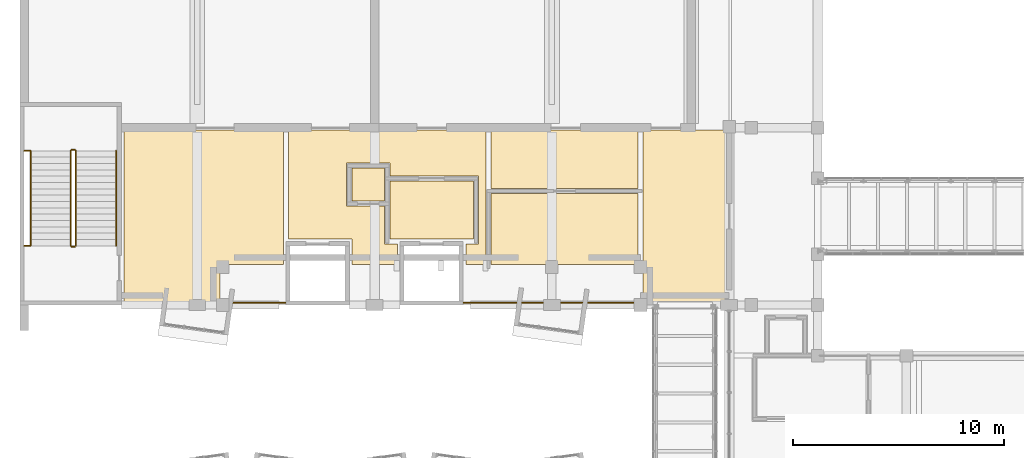
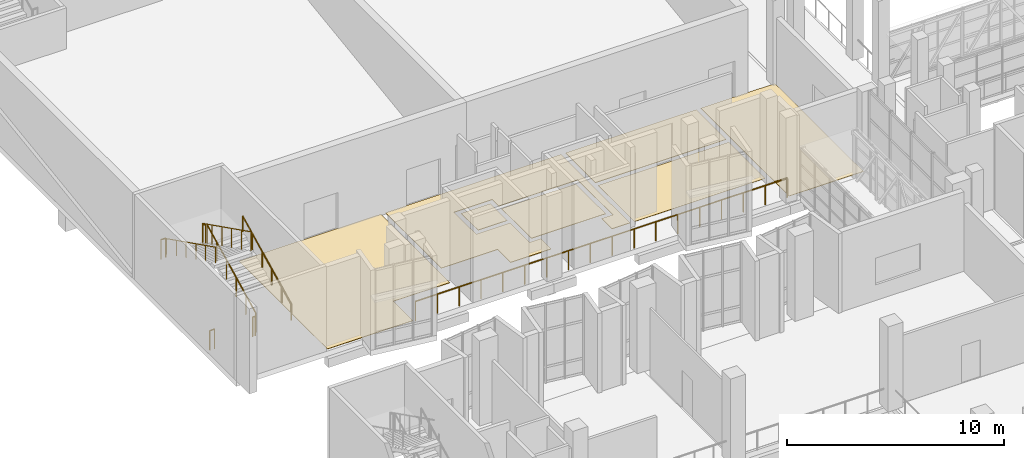
# One storey, part 72 of 86: 9 railings, 7 coverings.
"""IFC4 building model written with IfcOpenShell, lengths in metres."""

from ifc_helpers import new_model, si_unit, direction, frame, origin, origin_2d, place, context, subcontext, project, spatial, polyline, circle, outline, extrude, material, layer, layer_set, type_object, element, save


model = new_model("IFC4")

# Units and contexts
model_context = context("Model", 3, precision=1e-05, world=origin(), true_north=direction((0.0, 1.0)))
body_context = subcontext(model_context, "Body", "Model", "MODEL_VIEW")
ifc_project = project(units=[si_unit("LENGTHUNIT", "METRE"), si_unit("AREAUNIT", "SQUARE_METRE"), si_unit("VOLUMEUNIT", "CUBIC_METRE"), si_unit("PLANEANGLEUNIT", "RADIAN"), si_unit("MASSUNIT", "GRAM", prefix="KILO")], contexts=[model_context])

# Site, building, storey
site_placement = place(None, origin())
site = spatial("IfcSite", under=ifc_project, at=site_placement, CompositionType="ELEMENT")
building_placement = place(site_placement, origin())
building = spatial("IfcBuilding", under=site, at=building_placement, Name="Kiln Court Media Centre", CompositionType="ELEMENT")
storey_placement = place(building_placement, frame((0.0, 0.0, 10.199951171875)))
storey = spatial("IfcBuildingStorey", under=building, at=storey_placement, Name="L02", CompositionType="ELEMENT", Elevation=10.199951171875)

# Coverings
ifc_material_1 = material(Name="Ceramic tile")
ifc_layer_1 = layer(ifc_material_1, 0.011962890625)
ifc_layer_set_1 = layer_set([ifc_layer_1], Name="Ceramic tile floor finish 12")
covering_type_1 = type_object("IfcCoveringType", Name="Ceramic tile floor finish 12", PredefinedType="FLOORING", material=ifc_layer_set_1)
covering_1_placement = place(storey_placement, origin())
element("IfcCovering", 1, at=covering_1_placement, inside=storey, type_object=covering_type_1, Name="Toilets floor finish", PredefinedType="FLOORING", context=body_context, shape_type="SweptSolid", body=[
    extrude(outline(polyline([(29.280029296875, 38.8798828125), (22.320068359375, 38.8798828125), (22.320068359375, 35.52001953125), (29.280029296875, 35.52001953125), (29.280029296875, 38.8798828125)])), origin(), (0.0, 0.0, 1.0), 0.011962890625),
])
ifc_material_2 = material(Name="Terrazzo")
ifc_layer_2 = layer(ifc_material_2, 0.02490234375)
ifc_layer_set_2 = layer_set([ifc_layer_2], Name="Polished terrazzo floor finish 25")
covering_type_2 = type_object("IfcCoveringType", Name="Polished terrazzo floor finish 25", PredefinedType="FLOORING", material=ifc_layer_set_2)
covering_2_placement = place(storey_placement, origin())
element("IfcCovering", 2, at=covering_2_placement, inside=storey, type_object=covering_type_2, Name="Screening Foyer floor finish", PredefinedType="FLOORING", context=body_context, shape_type="SweptSolid", body=[
    extrude(outline(polyline([(12.47998046875, 41.8798828125), (4.919921875, 41.8798828125), (4.919921875, 33.719970703125), (9.47998046875, 33.719970703125), (9.47998046875, 35.52001953125), (12.47998046875, 35.52001953125), (12.47998046875, 41.8798828125)])), origin(), (0.0, 0.0, 1.0), 0.025146484375),
])
covering_3_placement = place(storey_placement, origin())
element("IfcCovering", 3, at=covering_3_placement, inside=storey, type_object=covering_type_2, Name="Foyer Link floor finish", PredefinedType="FLOORING", context=body_context, shape_type="SweptSolid", body=[
    extrude(outline(polyline([(29.52001953125, 33.719970703125), (33.47998046875, 33.719970703125), (33.47998046875, 41.8798828125), (29.52001953125, 41.8798828125), (29.52001953125, 33.719970703125)])), origin(), (0.0, 0.0, 1.0), 0.025146484375),
])
covering_4_placement = place(storey_placement, origin())
element("IfcCovering", 4, at=covering_4_placement, inside=storey, type_object=covering_type_2, Name="Cinema Lobby floor finish", PredefinedType="FLOORING", context=body_context, shape_type="SweptSolid", body=[
    extrude(outline(polyline([(17.280029296875, 36.47998046875), (17.280029296875, 38.280029296875), (15.47998046875, 38.280029296875), (15.47998046875, 40.320068359375), (17.52001953125, 40.320068359375), (17.52001953125, 39.719970703125), (21.719970703125, 39.719970703125), (21.719970703125, 36.47998046875), (21.1201171875, 36.47998046875), (21.1201171875, 35.52001953125), (22.080078125, 35.52001953125), (22.080078125, 41.8798828125), (12.719970703125, 41.8798828125), (12.719970703125, 36.719970703125), (15.719970703125, 36.719970703125), (15.719970703125, 35.52001953125), (17.8798828125, 35.52001953125), (17.8798828125, 36.47998046875), (17.280029296875, 36.47998046875)])), origin(), (0.0, 0.0, 1.0), 0.025146484375),
])
covering_5_placement = place(storey_placement, origin())
element("IfcCovering", 5, at=covering_5_placement, inside=storey, type_object=covering_type_2, Name="Fire-fighting Lift Lobby floor finish", PredefinedType="FLOORING", context=body_context, shape_type="SweptSolid", body=[
    extrude(outline(polyline([(17.52001953125, 36.719970703125), (21.47998046875, 36.719970703125), (21.47998046875, 39.47998046875), (17.52001953125, 39.47998046875), (17.52001953125, 36.719970703125)])), origin(), (0.0, 0.0, 1.0), 0.025146484375),
])
covering_6_placement = place(storey_placement, origin())
element("IfcCovering", 6, at=covering_6_placement, inside=storey, type_object=covering_type_2, Name="Wheelchair Refuge floor finish", PredefinedType="FLOORING", context=body_context, shape_type="SweptSolid", body=[
    extrude(outline(polyline([(15.719970703125, 38.52001953125), (17.280029296875, 38.52001953125), (17.280029296875, 40.080078125), (15.719970703125, 40.080078125), (15.719970703125, 38.52001953125)])), origin(), (0.0, 0.0, 1.0), 0.025146484375),
])
covering_7_placement = place(storey_placement, origin())
element("IfcCovering", 7, at=covering_7_placement, inside=storey, type_object=covering_type_2, Name="Cinema Lobby floor finish", PredefinedType="FLOORING", context=body_context, shape_type="SweptSolid", body=[
    extrude(outline(polyline([(22.320068359375, 39.1201171875), (29.280029296875, 39.1201171875), (29.280029296875, 41.8798828125), (22.320068359375, 41.8798828125), (22.320068359375, 39.1201171875)])), origin(), (0.0, 0.0, 1.0), 0.025146484375),
])

# Railings
ifc_material_3 = material(Name="Steel S275", Category="steel")
railing_type_1 = type_object("IfcRailingType", Name="Steel S275 stair guard 1100", PredefinedType="GUARDRAIL", material=ifc_material_3)
railing_1_placement = place(storey_placement, frame((2.64990234375, 36.39990234375, 0.150146484375)))
element("IfcRailing", 8, at=railing_1_placement, inside=storey, type_object=railing_type_1, Name="ST-06 stair guard", PredefinedType="GUARDRAIL", context=body_context, shape_type="SweptSolid", body=[
    extrude(circle(Radius=0.02392578125, at=origin_2d()), frame((0.0, 0.0, 1.076171875), z_axis=(0.0, 0.894427191, 0.4472135955), x_axis=(-1.0, 0.0, 0.0)), (0.0, 0.0, 1.0), 5.03125),
    extrude(circle(Radius=0.02099609375, at=origin_2d()), origin(), (0.0, 0.0, 1.0), 1.052001953125),
    extrude(circle(Radius=0.02099609375, at=origin_2d()), frame((0.0, 0.89990234375, 0.449951171875)), (0.0, 0.0, 1.0), 1.052001953125),
    extrude(circle(Radius=0.02099609375, at=origin_2d()), frame((0.0, 1.800048828125, 0.89990234375)), (0.0, 0.0, 1.0), 1.052001953125),
    extrude(circle(Radius=0.02099609375, at=origin_2d()), frame((0.0, 2.699951171875, 1.35009765625)), (0.0, 0.0, 1.0), 1.052001953125),
    extrude(circle(Radius=0.02099609375, at=origin_2d()), frame((0.0, 3.60009765625, 1.800048828125)), (0.0, 0.0, 1.0), 1.052001953125),
    extrude(circle(Radius=0.02099609375, at=origin_2d()), frame((0.0, 4.5, 2.25)), (0.0, 0.0, 1.0), 1.052001953125),
])
railing_2_placement = place(storey_placement, frame((2.60009765625, 40.949951171875, 2.400146484375)))
element("IfcRailing", 9, at=railing_2_placement, inside=storey, type_object=railing_type_1, Name="ST-06 stair guard", PredefinedType="GUARDRAIL", context=body_context, shape_type="SweptSolid", body=[
    extrude(circle(Radius=0.02392578125, at=origin_2d()), frame((0.0, 0.0, 1.076171875), z_axis=(-1.0, 0.0, 0.0), x_axis=(0.0, -1.0, 0.0)), (0.0, 0.0, 1.0), 0.150146484375),
    extrude(circle(Radius=0.02099609375, at=origin_2d()), origin(), (0.0, 0.0, 1.0), 1.052001953125),
    extrude(circle(Radius=0.02099609375, at=origin_2d()), frame((-0.150146484375, 0.0, 0.0)), (0.0, 0.0, 1.0), 1.052001953125),
])
railing_3_placement = place(storey_placement, frame((2.39990234375, 40.89990234375, 2.550048828125)))
element("IfcRailing", 10, at=railing_3_placement, inside=storey, type_object=railing_type_1, Name="ST-06 stair guard", PredefinedType="GUARDRAIL", context=body_context, shape_type="SweptSolid", body=[
    extrude(circle(Radius=0.02392578125, at=origin_2d()), frame((0.0, 0.0, 1.076171875), z_axis=(0.0, -0.894427191, 0.4472135955), x_axis=(1.0, 0.0, 0.0)), (0.0, 0.0, 1.0), 5.03125),
    extrude(circle(Radius=0.02099609375, at=origin_2d()), origin(), (0.0, 0.0, 1.0), 1.052001953125),
    extrude(circle(Radius=0.02099609375, at=origin_2d()), frame((0.0, -0.89990234375, 0.449951171875)), (0.0, 0.0, 1.0), 1.052001953125),
    extrude(circle(Radius=0.02099609375, at=origin_2d()), frame((0.0, -1.800048828125, 0.89990234375)), (0.0, 0.0, 1.0), 1.052001953125),
    extrude(circle(Radius=0.02099609375, at=origin_2d()), frame((0.0, -2.699951171875, 1.35009765625)), (0.0, 0.0, 1.0), 1.052001953125),
    extrude(circle(Radius=0.02099609375, at=origin_2d()), frame((0.0, -3.60009765625, 1.800048828125)), (0.0, 0.0, 1.0), 1.052001953125),
    extrude(circle(Radius=0.02099609375, at=origin_2d()), frame((0.0, -4.5, 2.25)), (0.0, 0.0, 1.0), 1.052001953125),
])
railing_4_placement = place(storey_placement, frame((2.60009765625, 36.35009765625, 0.0)))
element("IfcRailing", 11, at=railing_4_placement, inside=storey, type_object=railing_type_1, Name="ST-06 stair guard", PredefinedType="GUARDRAIL", context=body_context, shape_type="SweptSolid", body=[
    extrude(circle(Radius=0.02392578125, at=origin_2d()), frame((0.0, 0.0, 1.076171875), z_axis=(-1.0, 0.0, 0.0), x_axis=(0.0, -1.0, 0.0)), (0.0, 0.0, 1.0), 0.150146484375),
    extrude(circle(Radius=0.02099609375, at=origin_2d()), origin(), (0.0, 0.0, 1.0), 1.052001953125),
    extrude(circle(Radius=0.02099609375, at=origin_2d()), frame((-0.150146484375, 0.0, 0.0)), (0.0, 0.0, 1.0), 1.052001953125),
])
for number, where, name in (
    (12, (0.449951171875, 40.89990234375, 2.400146484375), "ST-06 landing edge guard"),
    (13, (0.449951171875, 36.39990234375, 0.0), "ST-06 landing edge guard"),
):
    element("IfcRailing", number, at=place(storey_placement, frame(where)), inside=storey, type_object=railing_type_1, Name=name, PredefinedType="GUARDRAIL", context=body_context, shape_type="SweptSolid", body=[
        extrude(circle(Radius=0.02392578125, at=origin_2d()), frame((0.0, 0.0, 1.076171875), z_axis=(-1.0, 0.0, 0.0), x_axis=(0.0, -1.0, 0.0)), (0.0, 0.0, 1.0), 0.25),
        extrude(circle(Radius=0.02099609375, at=origin_2d()), origin(), (0.0, 0.0, 1.0), 1.052001953125),
        extrude(circle(Radius=0.02099609375, at=origin_2d()), frame((-0.25, 0.0, 0.0)), (0.0, 0.0, 1.0), 1.052001953125),
    ])
ifc_material_4 = material(Name="Steel S275", Category="steel")
railing_type_2 = type_object("IfcRailingType", Name="Steel S275 stair handrail 900", PredefinedType="HANDRAIL", material=ifc_material_4)
railing_5_placement = place(storey_placement, frame((4.550048828125, 36.39990234375, 0.150146484375)))
element("IfcRailing", 14, at=railing_5_placement, inside=storey, type_object=railing_type_2, Name="ST-06 stair handrail", PredefinedType="HANDRAIL", context=body_context, shape_type="SweptSolid", body=[
    extrude(circle(Radius=0.02392578125, at=origin_2d()), frame((0.0, 0.0, 0.8759765625), z_axis=(0.0, 0.894427191, 0.4472135955), x_axis=(-1.0, 0.0, 0.0)), (0.0, 0.0, 1.0), 5.03125),
    extrude(circle(Radius=0.02099609375, at=origin_2d()), origin(), (0.0, 0.0, 1.0), 0.851806640625),
    extrude(circle(Radius=0.02099609375, at=origin_2d()), frame((0.0, 0.89990234375, 0.449951171875)), (0.0, 0.0, 1.0), 0.851806640625),
    extrude(circle(Radius=0.02099609375, at=origin_2d()), frame((0.0, 1.800048828125, 0.89990234375)), (0.0, 0.0, 1.0), 0.851806640625),
    extrude(circle(Radius=0.02099609375, at=origin_2d()), frame((0.0, 2.699951171875, 1.35009765625)), (0.0, 0.0, 1.0), 0.851806640625),
    extrude(circle(Radius=0.02099609375, at=origin_2d()), frame((0.0, 3.60009765625, 1.800048828125)), (0.0, 0.0, 1.0), 0.851806640625),
    extrude(circle(Radius=0.02099609375, at=origin_2d()), frame((0.0, 4.5, 2.25)), (0.0, 0.0, 1.0), 0.851806640625),
])
railing_6_placement = place(storey_placement, frame((0.5, 40.89990234375, 2.550048828125)))
element("IfcRailing", 15, at=railing_6_placement, inside=storey, type_object=railing_type_2, Name="ST-06 stair handrail", PredefinedType="HANDRAIL", context=body_context, shape_type="SweptSolid", body=[
    extrude(circle(Radius=0.02392578125, at=origin_2d()), frame((0.0, 0.0, 0.8759765625), z_axis=(0.0, -0.894427191, 0.4472135955), x_axis=(1.0, 0.0, 0.0)), (0.0, 0.0, 1.0), 5.03125),
    extrude(circle(Radius=0.02099609375, at=origin_2d()), origin(), (0.0, 0.0, 1.0), 0.851806640625),
    extrude(circle(Radius=0.02099609375, at=origin_2d()), frame((0.0, -0.89990234375, 0.449951171875)), (0.0, 0.0, 1.0), 0.851806640625),
    extrude(circle(Radius=0.02099609375, at=origin_2d()), frame((0.0, -1.800048828125, 0.89990234375)), (0.0, 0.0, 1.0), 0.851806640625),
    extrude(circle(Radius=0.02099609375, at=origin_2d()), frame((0.0, -2.699951171875, 1.35009765625)), (0.0, 0.0, 1.0), 0.851806640625),
    extrude(circle(Radius=0.02099609375, at=origin_2d()), frame((0.0, -3.60009765625, 1.800048828125)), (0.0, 0.0, 1.0), 0.851806640625),
    extrude(circle(Radius=0.02099609375, at=origin_2d()), frame((0.0, -4.5, 2.25)), (0.0, 0.0, 1.0), 0.851806640625),
])
ifc_material_5 = material(Name="Steel ASTM A572 Gr 50", Category="steel")
railing_type_3 = type_object("IfcRailingType", Name="Steel guard rail 1100", PredefinedType="GUARDRAIL", material=ifc_material_5)
railing_7_placement = place(storey_placement, frame((9.60009765625, 33.699951171875, 0.0)))
element("IfcRailing", 16, at=railing_7_placement, inside=storey, type_object=railing_type_3, Name="Drum ledge guard 1", PredefinedType="GUARDRAIL", context=body_context, shape_type="SweptSolid", body=[
    extrude(circle(Radius=0.02392578125, at=origin_2d()), frame((0.0, 0.0, 1.076171875), z_axis=(1.0, 0.0, 0.0), x_axis=(0.0, 1.0, 0.0)), (0.0, 0.0, 1.0), 19.7998046875),
    extrude(circle(Radius=0.02099609375, at=origin_2d()), origin(), (0.0, 0.0, 1.0), 1.052001953125),
    extrude(circle(Radius=0.02099609375, at=origin_2d()), frame((1.164794921875, 0.0, 0.0)), (0.0, 0.0, 1.0), 1.052001953125),
    extrude(circle(Radius=0.02099609375, at=origin_2d()), frame((2.329345703125, 0.0, 0.0)), (0.0, 0.0, 1.0), 1.052001953125),
    extrude(circle(Radius=0.02099609375, at=origin_2d()), frame((3.494140625, 0.0, 0.0)), (0.0, 0.0, 1.0), 1.052001953125),
    extrude(circle(Radius=0.02099609375, at=origin_2d()), frame((4.65869140625, 0.0, 0.0)), (0.0, 0.0, 1.0), 1.052001953125),
    extrude(circle(Radius=0.02099609375, at=origin_2d()), frame((5.823486328125, 0.0, 0.0)), (0.0, 0.0, 1.0), 1.052001953125),
    extrude(circle(Radius=0.02099609375, at=origin_2d()), frame((6.98828125, 0.0, 0.0)), (0.0, 0.0, 1.0), 1.052001953125),
    extrude(circle(Radius=0.02099609375, at=origin_2d()), frame((8.15283203125, 0.0, 0.0)), (0.0, 0.0, 1.0), 1.052001953125),
    extrude(circle(Radius=0.02099609375, at=origin_2d()), frame((9.317626953125, 0.0, 0.0)), (0.0, 0.0, 1.0), 1.052001953125),
    extrude(circle(Radius=0.02099609375, at=origin_2d()), frame((10.482177734375, 0.0, 0.0)), (0.0, 0.0, 1.0), 1.052001953125),
    extrude(circle(Radius=0.02099609375, at=origin_2d()), frame((11.64697265625, 0.0, 0.0)), (0.0, 0.0, 1.0), 1.052001953125),
    extrude(circle(Radius=0.02099609375, at=origin_2d()), frame((12.8115234375, 0.0, 0.0)), (0.0, 0.0, 1.0), 1.052001953125),
    extrude(circle(Radius=0.02099609375, at=origin_2d()), frame((13.976318359375, 0.0, 0.0)), (0.0, 0.0, 1.0), 1.052001953125),
    extrude(circle(Radius=0.02099609375, at=origin_2d()), frame((15.14111328125, 0.0, 0.0)), (0.0, 0.0, 1.0), 1.052001953125),
    extrude(circle(Radius=0.02099609375, at=origin_2d()), frame((16.3056640625, 0.0, 0.0)), (0.0, 0.0, 1.0), 1.052001953125),
    extrude(circle(Radius=0.02099609375, at=origin_2d()), frame((17.470458984375, 0.0, 0.0)), (0.0, 0.0, 1.0), 1.052001953125),
    extrude(circle(Radius=0.02099609375, at=origin_2d()), frame((18.635009765625, 0.0, 0.0)), (0.0, 0.0, 1.0), 1.052001953125),
    extrude(circle(Radius=0.02099609375, at=origin_2d()), frame((19.7998046875, 0.0, 0.0)), (0.0, 0.0, 1.0), 1.052001953125),
])

save(model, "model.ifc")
